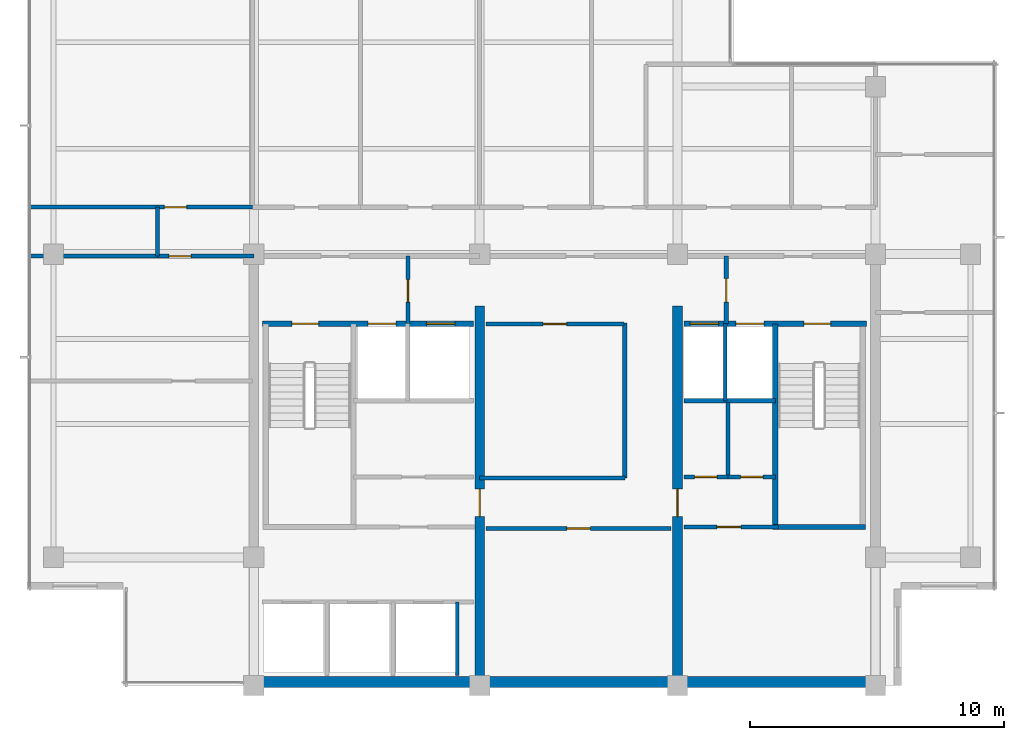
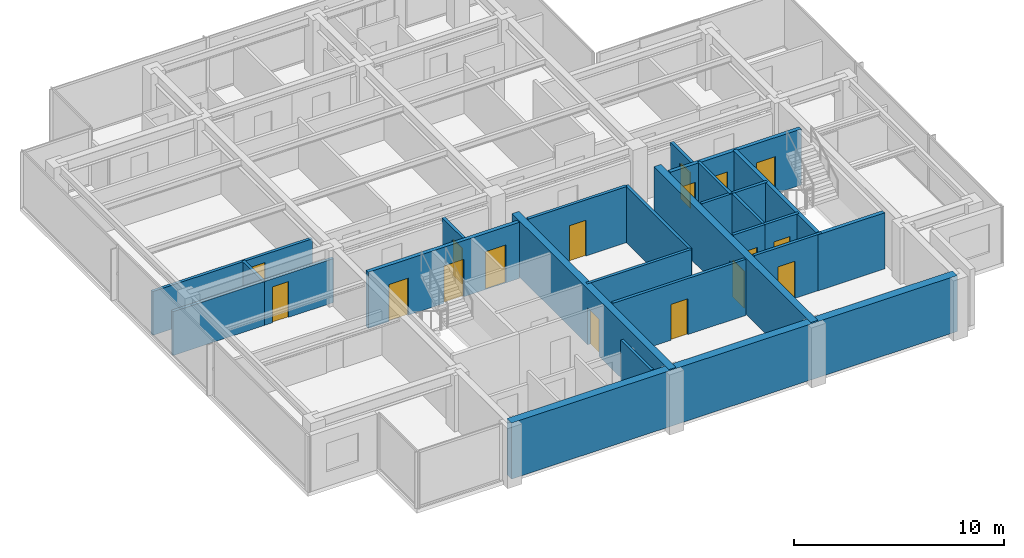
# One storey, part 6 of 11: 24 walls, 17 doors, 17 openings.
"""IFC4 building model written with IfcOpenShell, lengths in metres."""

import ifcopenshell
import ifcopenshell.guid

model = None  # the IFC model being written
_history = None  # IfcOwnerHistory: only IFC2X3 demands one
_inside = {}  # id of a spatial element -> (the spatial element, [elements in it])
_under = {}  # id of a project, library or spatial element -> (it, [spatial elements below it])
_declared = {}  # id of a project -> (the project, [libraries it declares])
_typed = {}  # id of a type object -> (the type object, [elements of that type])
_made_of = {}  # id of a material, layer set ... -> (it, [elements and type objects made of it])


def new_model(schema):
    """Start an empty IFC model of exactly this schema.

    Asked for "IFC4X3", IfcOpenShell would pick the latest addendum, in which some entities
    have other attributes; the version numbers below select the first issue.
    IFC2X3 requires an IfcOwnerHistory on every rooted entity: one is made here for all.
    """
    global model, _history
    if schema == "IFC4X3":
        model = ifcopenshell.file(schema_version=(4, 3, 0, 0))
    else:
        model = ifcopenshell.file(schema=schema)
    _inside.clear()
    _under.clear()
    _declared.clear()
    _typed.clear()
    _made_of.clear()
    _history = None
    if model.schema == "IFC2X3":
        org = make("IfcOrganization", Name="unknown")
        user = make(
            "IfcPersonAndOrganization",
            ThePerson=make("IfcPerson", FamilyName="unknown"),
            TheOrganization=org,
        )
        app = make(
            "IfcApplication",
            ApplicationDeveloper=org,
            Version="unknown",
            ApplicationFullName="unknown",
            ApplicationIdentifier="unknown",
        )
        _history = make(
            "IfcOwnerHistory",
            OwningUser=user,
            OwningApplication=app,
            ChangeAction="ADDED",
            CreationDate=0,
        )
    return model


def make(cls, **values):
    """One entity of the class cls with the attributes given. An attribute that is None is left unset."""
    return model.create_entity(
        cls, **{name: value for name, value in values.items() if value is not None}
    )


def rooted(cls, **values):
    """An entity with a GlobalId (a new one), such as an element, a storey or a relation."""
    return make(cls, GlobalId=ifcopenshell.guid.new(), OwnerHistory=_history, **values)


def si_unit(unit_type, name, prefix=None):
    """IfcSIUnit, for example si_unit("LENGTHUNIT", "METRE", prefix="MILLI")."""
    return make("IfcSIUnit", UnitType=unit_type, Prefix=prefix, Name=name)


def assignment(units):
    """IfcUnitAssignment: the units of a project."""
    return None if units is None else make("IfcUnitAssignment", Units=units)


def point(xyz):
    """IfcCartesianPoint."""
    return None if xyz is None else make("IfcCartesianPoint", Coordinates=xyz)


def direction(xyz):
    """IfcDirection."""
    return None if xyz is None else make("IfcDirection", DirectionRatios=xyz)


def frame(location, z_axis=None, x_axis=None):
    """IfcAxis2Placement3D, a coordinate frame: its origin and axes. An axis left out is left unset."""
    return make(
        "IfcAxis2Placement3D",
        Location=point(location),
        Axis=direction(z_axis),
        RefDirection=direction(x_axis),
    )


def frame_2d(location, x_axis=None):
    """IfcAxis2Placement2D, a coordinate frame in the plane: its origin and x axis."""
    return make(
        "IfcAxis2Placement2D", Location=point(location), RefDirection=direction(x_axis)
    )


def origin():
    """The frame at (0, 0, 0) with its axes left unset."""
    return frame((0.0, 0.0, 0.0))


def place(relative_to, where):
    """IfcLocalPlacement: puts the frame where relative to a parent placement (None: the world)."""
    return make(
        "IfcLocalPlacement", PlacementRelTo=relative_to, RelativePlacement=where
    )


def context(
    kind, dimensions, precision=None, world=None, true_north=None, identifier=None
):
    """IfcGeometricRepresentationContext, for example the 3D "Model" context."""
    return make(
        "IfcGeometricRepresentationContext",
        ContextIdentifier=identifier,
        ContextType=kind,
        CoordinateSpaceDimension=dimensions,
        Precision=precision,
        WorldCoordinateSystem=world,
        TrueNorth=true_north,
    )


def subcontext(parent, identifier, kind, view, scale=None):
    """IfcGeometricRepresentationSubContext, for example "Body" below "Model"."""
    return make(
        "IfcGeometricRepresentationSubContext",
        ContextIdentifier=identifier,
        ContextType=kind,
        ParentContext=parent,
        TargetScale=scale,
        TargetView=view,
    )


def project(units=None, contexts=None):
    """IfcProject with its units and contexts."""
    return rooted(
        "IfcProject",
        Name="project",
        RepresentationContexts=contexts,
        UnitsInContext=assignment(units),
    )


def spatial(cls, under=None, at=None, **own):
    """A site, building, storey or space (cls), placed at a placement, below another one or the project."""
    s = rooted(cls, ObjectPlacement=at, **own)
    if under is not None:
        _under.setdefault(under.id(), (under, []))[1].append(s)
    return s


def profile(cls, at=None, kind="AREA", **sizes):
    """A parametric profile (cls). Its sizes go by their IFC names, for example OverallWidth=200.0."""
    return make(cls, ProfileType=kind, Position=at, **sizes)


def rectangle(**sizes):
    """IfcRectangleProfileDef."""
    return profile("IfcRectangleProfileDef", **sizes)


def extrude(swept, where, along, depth):
    """IfcExtrudedAreaSolid: the profile swept, set in the frame where, extruded along a direction by depth."""
    return make(
        "IfcExtrudedAreaSolid",
        SweptArea=swept,
        Position=where,
        ExtrudedDirection=direction(along),
        Depth=depth,
    )


def shape(context_of_items, identifier, shape_type, items):
    """IfcShapeRepresentation: the items that make up one representation, for example the "Body"."""
    return make(
        "IfcShapeRepresentation",
        ContextOfItems=context_of_items,
        RepresentationIdentifier=identifier,
        RepresentationType=shape_type,
        Items=items,
    )


def material(Name=None, Category=None):
    """IfcMaterial."""
    return make("IfcMaterial", Name=Name, Category=Category)


def layer(
    of_material, thickness, ventilated=None, Name=None, Category=None, Priority=None
):
    """IfcMaterialLayer: one layer of a wall or slab, of a material (None: an air gap)."""
    return make(
        "IfcMaterialLayer",
        Material=of_material,
        LayerThickness=thickness,
        IsVentilated=ventilated,
        Name=Name,
        Category=Category,
        Priority=Priority,
    )


def layer_set(layers, Name=None):
    """IfcMaterialLayerSet."""
    return make("IfcMaterialLayerSet", MaterialLayers=layers, LayerSetName=Name)


def made_of(thing, what):
    """Note that an element or type object is made of a material, layer set ...; save() writes the relation."""
    if what is not None:
        _made_of.setdefault(what.id(), (what, []))[1].append(thing)
    return thing


def type_object(cls, material=None, **own):
    """A type object (cls), such as IfcWallType, which elements share."""
    return made_of(rooted(cls, **own), material)


def element(
    cls,
    number,
    at=None,
    inside=None,
    cuts=None,
    type_object=None,
    material=None,
    context=None,
    identifier="Body",
    shape_type=None,
    held_by="IfcProductDefinitionShape",
    body=None,
    shapes=None,
    **own,
):
    """One element of the class cls, such as IfcWall. Its Tag is "e" and its number.

    at: its placement. inside: the storey or other place that contains it. cuts: it is an
    opening in that element (IfcRelVoidsElement). A single representation is given by context,
    identifier, shape_type and body (its items); several are given by shapes. held_by: the class
    of the entity that holds the representations. save() writes the other relations.
    """
    e = rooted(cls, Tag="e%d" % number, ObjectPlacement=at, **own)
    if body is not None:
        shapes = [shape(context, identifier, shape_type, body)]
    if shapes is not None:
        e.Representation = make(held_by, Representations=shapes)
    if inside is not None:
        _inside.setdefault(inside.id(), (inside, []))[1].append(e)
    if cuts is not None:
        rooted(
            "IfcRelVoidsElement", RelatingBuildingElement=cuts, RelatedOpeningElement=e
        )
    if type_object is not None:
        _typed.setdefault(type_object.id(), (type_object, []))[1].append(e)
    return made_of(e, material)


def fill(opening, filler):
    """IfcRelFillsElement: the door or window that sits in an opening."""
    return rooted(
        "IfcRelFillsElement",
        RelatingOpeningElement=opening,
        RelatedBuildingElement=filler,
    )


def aggregate(whole, parts):
    """IfcRelAggregates: a whole, such as a stair, and the parts it consists of."""
    return rooted("IfcRelAggregates", RelatingObject=whole, RelatedObjects=parts)


def save(model, path):
    """Write the relations noted so far, then the file.

    IfcRelAggregates (storeys below a building ...), IfcRelContainedInSpatialStructure (elements
    in a storey), IfcRelDefinesByType, IfcRelAssociatesMaterial and IfcRelDeclares: one each for
    every whole, place, type object, material and project.
    """
    for whole, parts in _under.values():
        aggregate(whole, parts)
    for where, things in _inside.values():
        rooted(
            "IfcRelContainedInSpatialStructure",
            RelatedElements=things,
            RelatingStructure=where,
        )
    for kind, things in _typed.values():
        rooted("IfcRelDefinesByType", RelatedObjects=things, RelatingType=kind)
    for what, things in _made_of.values():
        rooted("IfcRelAssociatesMaterial", RelatedObjects=things, RelatingMaterial=what)
    for by, libraries in _declared.values():
        rooted("IfcRelDeclares", RelatingContext=by, RelatedDefinitions=libraries)
    model.write(path)


model = new_model("IFC4")

# Units and contexts
model_context = context("Model", 3, precision=1e-05, world=origin(), true_north=direction((0.0, 1.0)))
body_context = subcontext(model_context, "Body", "Model", "MODEL_VIEW")
ifc_project = project(units=[si_unit("LENGTHUNIT", "METRE"), si_unit("AREAUNIT", "SQUARE_METRE"), si_unit("VOLUMEUNIT", "CUBIC_METRE"), si_unit("PLANEANGLEUNIT", "RADIAN"), si_unit("MASSUNIT", "GRAM", prefix="KILO")], contexts=[model_context])

# Site, building, storey
site_placement = place(None, origin())
site = spatial("IfcSite", under=ifc_project, at=site_placement, CompositionType="ELEMENT")
building_placement = place(site_placement, origin())
building = spatial("IfcBuilding", under=site, at=building_placement, Name="Qalmaran Belvedere Hotel", CompositionType="ELEMENT")
storey_placement = place(building_placement, frame((0.0, 0.0, 259.89990234375)))
storey = spatial("IfcBuildingStorey", under=building, at=storey_placement, Name="L67", CompositionType="ELEMENT", Elevation=259.89990234375)

# Wall, opening, door
ifc_material_1 = material(Name="Concrete C50/60", Category="concrete")
ifc_layer_1 = layer(ifc_material_1, 0.3798828125, Name="Concrete C50/60")
ifc_layer_set_1 = layer_set([ifc_layer_1], Name="Concrete C50/60")
wall_type_1 = type_object("IfcWallType", Name="WL-CORE-380-C50", PredefinedType="SHEAR", material=ifc_layer_set_1)
wall_1_placement = place(storey_placement, frame((29.199951171875, 3.5, 0.0), z_axis=(0.0, 0.0, 1.0), x_axis=(0.0, 1.0, 0.0)))
wall_1 = element("IfcWall", 1, at=wall_1_placement, inside=storey, type_object=wall_type_1, Name="L67 Core West Spine Shear Wall", PredefinedType="SHEAR", context=body_context, shape_type="SweptSolid", body=[
    extrude(rectangle(XDim=14.949951171875, YDim=0.3798828125, at=frame_2d((7.47509765625, 0.0))), origin(), (0.0, 0.0, 1.0), 3.260009765625),
])
opening_1_placement = place(wall_1_placement, frame((7.75, 0.0, 0.0), z_axis=(0.0, 0.0, 1.0), x_axis=(-1.0, 0.0, 0.0)))
opening_1 = element("IfcOpeningElement", 2, at=opening_1_placement, cuts=wall_1, Name="Opening FD90", PredefinedType="OPENING", context=body_context, shape_type="SweptSolid", body=[
    extrude(rectangle(XDim=1.10009765625, YDim=2.14990234375, at=frame_2d((0.550048828125, 1.074951171875))), frame((0.0, 0.199951171875, 0.0), z_axis=(0.0, -1.0, 0.0), x_axis=(1.0, 0.0, 0.0)), (0.0, 0.0, 1.0), 0.39990234375),
])
ifc_material_2 = material(Name="Steel S355JR", Category="steel")
door_type_1 = type_object("IfcDoorType", Name="DR-FD90-1100X2150", OperationType="NOTDEFINED", PredefinedType="DOOR", material=ifc_material_2)
door_1_placement = place(opening_1_placement, origin())
door_1 = element("IfcDoor", 3, at=door_1_placement, inside=storey, type_object=door_type_1, Name="L67 Core West Cross-Lobby Door", OperationType="SINGLE_SWING_LEFT", OverallHeight=2.14990234375, OverallWidth=1.10009765625, PredefinedType="DOOR", context=body_context, shape_type="SweptSolid", body=[
    extrude(rectangle(XDim=1.10009765625, YDim=2.14990234375, at=frame_2d((0.550048828125, 1.074951171875))), frame((0.0, 0.02490234375, 0.0), z_axis=(0.0, -1.0, 0.0), x_axis=(1.0, 0.0, 0.0)), (0.0, 0.0, 1.0), 0.050048828125),
])
fill(opening_1, door_1)

wall_2_placement = place(storey_placement, frame((37.0, 3.5, 0.0), z_axis=(0.0, 0.0, 1.0), x_axis=(0.0, 1.0, 0.0)))
wall_2 = element("IfcWall", 4, at=wall_2_placement, inside=storey, type_object=wall_type_1, Name="L67 Core East Spine Shear Wall", PredefinedType="SHEAR", context=body_context, shape_type="SweptSolid", body=[
    extrude(rectangle(XDim=14.949951171875, YDim=0.3798828125, at=frame_2d((7.47509765625, 0.0))), origin(), (0.0, 0.0, 1.0), 3.260009765625),
])
opening_2_placement = place(wall_2_placement, frame((6.64990234375, 0.0, 0.0)))
opening_2 = element("IfcOpeningElement", 5, at=opening_2_placement, cuts=wall_2, Name="Opening FD90", PredefinedType="OPENING", context=body_context, shape_type="SweptSolid", body=[
    extrude(rectangle(XDim=1.10009765625, YDim=2.14990234375, at=frame_2d((0.550048828125, 1.074951171875))), frame((0.0, 0.199951171875, 0.0), z_axis=(0.0, -1.0, 0.0), x_axis=(1.0, 0.0, 0.0)), (0.0, 0.0, 1.0), 0.39990234375),
])
door_2_placement = place(opening_2_placement, origin())
door_2 = element("IfcDoor", 6, at=door_2_placement, inside=storey, type_object=door_type_1, Name="L67 Core East Cross-Lobby Door", OperationType="SINGLE_SWING_RIGHT", OverallHeight=2.14990234375, OverallWidth=1.10009765625, PredefinedType="DOOR", context=body_context, shape_type="SweptSolid", body=[
    extrude(rectangle(XDim=1.10009765625, YDim=2.14990234375, at=frame_2d((0.550048828125, 1.074951171875))), frame((0.0, 0.02490234375, 0.0), z_axis=(0.0, -1.0, 0.0), x_axis=(1.0, 0.0, 0.0)), (0.0, 0.0, 1.0), 0.050048828125),
])
fill(opening_2, door_2)

# Walls
ifc_layer_2 = layer(ifc_material_1, 0.43994140625, Name="Concrete C50/60")
ifc_layer_set_2 = layer_set([ifc_layer_2], Name="Concrete C50/60")
wall_type_2 = type_object("IfcWallType", Name="WL-CORES-440-EXT", PredefinedType="SHEAR", material=ifc_layer_set_2)
wall_3_placement = place(storey_placement, frame((20.300048828125, 3.6298828125, 0.0), z_axis=(0.0, 0.0, 1.0), x_axis=(1.0, 0.0, 0.0)))
element("IfcWall", 7, at=wall_3_placement, inside=storey, type_object=wall_type_2, Name="L67 South Core Shear Wall", PredefinedType="SHEAR", context=body_context, shape_type="SweptSolid", body=[
    extrude(rectangle(XDim=24.5, YDim=0.43994140625, at=frame_2d((12.25, 0.0))), origin(), (0.0, 0.0, 1.0), 3.260009765625),
])
ifc_material_3 = material(Name="Gypsum Stud Partition")
ifc_layer_3 = layer(ifc_material_3, 0.14990234375, Name="Gypsum Stud Partition")
ifc_layer_set_3 = layer_set([ifc_layer_3], Name="Gypsum Stud Partition")
wall_type_3 = type_object("IfcWallType", Name="WL-INT-150-EI120", PredefinedType="PARTITIONING", material=ifc_layer_set_3)
wall_4_placement = place(storey_placement, frame((38.8798828125, 14.719970703125, 0.0), z_axis=(0.0, 0.0, 1.0), x_axis=(0.0, 1.0, 0.0)))
element("IfcWall", 8, at=wall_4_placement, inside=storey, type_object=wall_type_3, Name="L67 Partition WL-FF2M-L67", PredefinedType="PARTITIONING", context=body_context, shape_type="SweptSolid", body=[
    extrude(rectangle(XDim=3.0400390625, YDim=0.14990234375, at=frame_2d((1.52001953125, 0.0))), origin(), (0.0, 0.0, 1.0), 3.260009765625),
])
wall_5_placement = place(storey_placement, frame((28.320068359375, 3.89990234375, 0.0), z_axis=(0.0, 0.0, 1.0), x_axis=(0.0, 1.0, 0.0)))
element("IfcWall", 9, at=wall_5_placement, inside=storey, type_object=wall_type_3, Name="L67 Partition WL-POM3-L67", PredefinedType="PARTITIONING", context=body_context, shape_type="SweptSolid", body=[
    extrude(rectangle(XDim=2.880126953125, YDim=0.14990234375, at=frame_2d((1.43994140625, 0.0))), origin(), (0.0, 0.0, 1.0), 3.260009765625),
])
ifc_layer_4 = layer(ifc_material_3, 0.14990234375, Name="Gypsum Stud Partition")
ifc_layer_set_4 = layer_set([ifc_layer_4], Name="Gypsum Stud Partition")
wall_type_4 = type_object("IfcWallType", Name="WL-INT-150-EI60", PredefinedType="PARTITIONING", material=ifc_layer_set_4)
wall_6_placement = place(storey_placement, frame((38.98291015625, 11.719970703125, 0.0), z_axis=(0.0, 0.0, 1.0), x_axis=(0.0, 1.0, 0.0)))
element("IfcWall", 10, at=wall_6_placement, inside=storey, type_object=wall_type_4, Name="L67 Partition WL-L67-KEV1", PredefinedType="PARTITIONING", context=body_context, shape_type="SweptSolid", body=[
    extrude(rectangle(XDim=2.929931640625, YDim=0.14990234375, at=frame_2d((1.46484375, 0.0))), origin(), (0.0, 0.0, 1.0), 3.260009765625),
])

# Wall, opening, door
ifc_layer_5 = layer(ifc_material_3, 0.159912109375, Name="Gypsum Stud Partition")
ifc_layer_set_5 = layer_set([ifc_layer_5], Name="Gypsum Stud Partition")
wall_type_5 = type_object("IfcWallType", Name="WL-INT-160-EI120", PredefinedType="PARTITIONING", material=ifc_layer_set_5)
wall_7_placement = place(storey_placement, frame((26.3798828125, 17.760009765625, 0.0), z_axis=(0.0, 0.0, 1.0), x_axis=(0.0, 1.0, 0.0)))
wall_7 = element("IfcWall", 11, at=wall_7_placement, inside=storey, type_object=wall_type_5, Name="L67 Partition WL-FFSV1-L67", PredefinedType="PARTITIONING", context=body_context, shape_type="SweptSolid", body=[
    extrude(rectangle(XDim=2.659912109375, YDim=0.159912109375, at=frame_2d((1.330078125, 0.0))), origin(), (0.0, 0.0, 1.0), 2.781982421875),
])
opening_3_placement = place(wall_7_placement, frame((0.85009765625, 0.0, 0.0)))
opening_3 = element("IfcOpeningElement", 12, at=opening_3_placement, cuts=wall_7, Name="Opening FD60B", PredefinedType="OPENING", context=body_context, shape_type="SweptSolid", body=[
    extrude(rectangle(XDim=0.8798828125, YDim=2.080078125, at=frame_2d((0.43994140625, 1.0400390625))), frame((0.0, 0.08984375, 0.0), z_axis=(0.0, -1.0, 0.0), x_axis=(1.0, 0.0, 0.0)), (0.0, 0.0, 1.0), 0.179931640625),
])
door_type_2 = type_object("IfcDoorType", Name="DR-FD60B-880X2080", OperationType="NOTDEFINED", PredefinedType="DOOR", material=ifc_material_2)
door_3_placement = place(opening_3_placement, origin())
door_3 = element("IfcDoor", 13, at=door_3_placement, inside=storey, type_object=door_type_2, Name="L67 Service Lobby West Door", OperationType="SINGLE_SWING_LEFT", OverallHeight=2.080078125, OverallWidth=0.8798828125, PredefinedType="DOOR", context=body_context, shape_type="SweptSolid", body=[
    extrude(rectangle(XDim=0.8798828125, YDim=2.080078125, at=frame_2d((0.43994140625, 1.0400390625))), frame((0.0, 0.02490234375, 0.0), z_axis=(0.0, -1.0, 0.0), x_axis=(1.0, 0.0, 0.0)), (0.0, 0.0, 1.0), 0.050048828125),
])
fill(opening_3, door_3)

wall_8_placement = place(storey_placement, frame((38.919921875, 17.760009765625, 0.0), z_axis=(0.0, 0.0, 1.0), x_axis=(0.0, 1.0, 0.0)))
wall_8 = element("IfcWall", 14, at=wall_8_placement, inside=storey, type_object=wall_type_5, Name="L67 Partition WL-FFSV2-L67", PredefinedType="PARTITIONING", context=body_context, shape_type="SweptSolid", body=[
    extrude(rectangle(XDim=2.659912109375, YDim=0.159912109375, at=frame_2d((1.330078125, 0.0))), origin(), (0.0, 0.0, 1.0), 2.781982421875),
])
opening_4_placement = place(wall_8_placement, frame((1.77001953125, 0.0, 0.0), z_axis=(0.0, 0.0, 1.0), x_axis=(-1.0, 0.0, 0.0)))
opening_4 = element("IfcOpeningElement", 15, at=opening_4_placement, cuts=wall_8, Name="Opening FD60S1", PredefinedType="OPENING", context=body_context, shape_type="SweptSolid", body=[
    extrude(rectangle(XDim=0.919921875, YDim=2.080078125, at=frame_2d((0.4599609375, 1.0400390625))), frame((0.0, 0.08984375, 0.0), z_axis=(0.0, -1.0, 0.0), x_axis=(1.0, 0.0, 0.0)), (0.0, 0.0, 1.0), 0.179931640625),
])
ifc_material_4 = material(Name="Engineered Oak Veneer")
door_type_3 = type_object("IfcDoorType", Name="DR-FD60S-920X2080", OperationType="NOTDEFINED", PredefinedType="DOOR", material=ifc_material_4)
door_4_placement = place(opening_4_placement, origin())
door_4 = element("IfcDoor", 16, at=door_4_placement, inside=storey, type_object=door_type_3, Name="L67 Service Lobby East Door", OperationType="SINGLE_SWING_RIGHT", OverallHeight=2.080078125, OverallWidth=0.919921875, PredefinedType="DOOR", context=body_context, shape_type="SweptSolid", body=[
    extrude(rectangle(XDim=0.919921875, YDim=2.080078125, at=frame_2d((0.4599609375, 1.0400390625))), frame((0.0, 0.02490234375, 0.0), z_axis=(0.0, -1.0, 0.0), x_axis=(1.0, 0.0, 0.0)), (0.0, 0.0, 1.0), 0.050048828125),
])
fill(opening_4, door_4)

# Wall
wall_9_placement = place(storey_placement, frame((37.25, 14.719970703125, 0.0), z_axis=(0.0, 0.0, 1.0), x_axis=(1.0, 0.0, 0.0)))
element("IfcWall", 17, at=wall_9_placement, inside=storey, type_object=wall_type_5, Name="L67 Partition WL-FF2S-L67", PredefinedType="PARTITIONING", context=body_context, shape_type="SweptSolid", body=[
    extrude(rectangle(XDim=3.610107421875, YDim=0.159912109375, at=frame_2d((1.80517578125, 0.0))), origin(), (0.0, 0.0, 1.0), 3.260009765625),
])

# Wall, opening, door
ifc_layer_6 = layer(ifc_material_3, 0.159912109375, Name="Gypsum Stud Partition")
ifc_layer_set_6 = layer_set([ifc_layer_6], Name="Gypsum Stud Partition")
wall_type_6 = type_object("IfcWallType", Name="WL-INT-160-EI60", PredefinedType="PARTITIONING", material=ifc_layer_set_6)
wall_10_placement = place(storey_placement, frame((37.25, 11.719970703125, 0.0), z_axis=(0.0, 0.0, 1.0), x_axis=(1.0, 0.0, 0.0)))
wall_10 = element("IfcWall", 18, at=wall_10_placement, inside=storey, type_object=wall_type_6, Name="L67 Partition WL-L67-KEE1", PredefinedType="PARTITIONING", context=body_context, shape_type="SweptSolid", body=[
    extrude(rectangle(XDim=1.73291015625, YDim=0.159912109375, at=frame_2d((0.866455078125, 0.0))), origin(), (0.0, 0.0, 1.0), 3.260009765625),
])
opening_5_placement = place(wall_10_placement, frame((0.426513671875, 0.0, 0.0)))
opening_5 = element("IfcOpeningElement", 19, at=opening_5_placement, cuts=wall_10, Name="Opening FD60B", PredefinedType="OPENING", context=body_context, shape_type="SweptSolid", body=[
    extrude(rectangle(XDim=0.8798828125, YDim=2.080078125, at=frame_2d((0.43994140625, 1.0400390625))), frame((0.0, 0.08984375, 0.0), z_axis=(0.0, -1.0, 0.0), x_axis=(1.0, 0.0, 0.0)), (0.0, 0.0, 1.0), 0.179931640625),
])
door_5_placement = place(opening_5_placement, origin())
door_5 = element("IfcDoor", 20, at=door_5_placement, inside=storey, type_object=door_type_2, Name="L67 Cleaner Equipment Store Door", OperationType="SINGLE_SWING_LEFT", OverallHeight=2.080078125, OverallWidth=0.8798828125, PredefinedType="DOOR", context=body_context, shape_type="SweptSolid", body=[
    extrude(rectangle(XDim=0.8798828125, YDim=2.080078125, at=frame_2d((0.43994140625, 1.0400390625))), frame((0.0, 0.02490234375, 0.0), z_axis=(0.0, -1.0, 0.0), x_axis=(1.0, 0.0, 0.0)), (0.0, 0.0, 1.0), 0.050048828125),
])
fill(opening_5, door_5)

wall_11_placement = place(storey_placement, frame((38.98291015625, 11.719970703125, 0.0), z_axis=(0.0, 0.0, 1.0), x_axis=(1.0, 0.0, 0.0)))
wall_11 = element("IfcWall", 21, at=wall_11_placement, inside=storey, type_object=wall_type_6, Name="L67 Partition WL-L67-KEE2", PredefinedType="PARTITIONING", context=body_context, shape_type="SweptSolid", body=[
    extrude(rectangle(XDim=1.877197265625, YDim=0.159912109375, at=frame_2d((0.9384765625, 0.0))), origin(), (0.0, 0.0, 1.0), 3.260009765625),
])
opening_6_placement = place(wall_11_placement, frame((0.49853515625, 0.0, 0.0)))
opening_6 = element("IfcOpeningElement", 22, at=opening_6_placement, cuts=wall_11, Name="Opening FD60B", PredefinedType="OPENING", context=body_context, shape_type="SweptSolid", body=[
    extrude(rectangle(XDim=0.8798828125, YDim=2.080078125, at=frame_2d((0.43994140625, 1.0400390625))), frame((0.0, 0.08984375, 0.0), z_axis=(0.0, -1.0, 0.0), x_axis=(1.0, 0.0, 0.0)), (0.0, 0.0, 1.0), 0.179931640625),
])
door_6_placement = place(opening_6_placement, origin())
door_6 = element("IfcDoor", 23, at=door_6_placement, inside=storey, type_object=door_type_2, Name="L67 Low Voltage Switch Room Door", OperationType="SINGLE_SWING_RIGHT", OverallHeight=2.080078125, OverallWidth=0.8798828125, PredefinedType="DOOR", context=body_context, shape_type="SweptSolid", body=[
    extrude(rectangle(XDim=0.8798828125, YDim=2.080078125, at=frame_2d((0.43994140625, 1.0400390625))), frame((0.0, 0.02490234375, 0.0), z_axis=(0.0, -1.0, 0.0), x_axis=(1.0, 0.0, 0.0)), (0.0, 0.0, 1.0), 0.050048828125),
])
fill(opening_6, door_6)

wall_12_placement = place(storey_placement, frame((37.25, 9.739990234375, 0.0), z_axis=(0.0, 0.0, 1.0), x_axis=(1.0, 0.0, 0.0)))
wall_12 = element("IfcWall", 24, at=wall_12_placement, inside=storey, type_object=wall_type_6, Name="L67 Partition WL-PHFR-L67", PredefinedType="PARTITIONING", context=body_context, shape_type="SweptSolid", body=[
    extrude(rectangle(XDim=3.72998046875, YDim=0.159912109375, at=frame_2d((1.864990234375, 0.0))), origin(), (0.0, 0.0, 1.0), 3.260009765625),
])
opening_7_placement = place(wall_12_placement, frame((2.25, 0.0, 0.0), z_axis=(0.0, 0.0, 1.0), x_axis=(-1.0, 0.0, 0.0)))
opening_7 = element("IfcOpeningElement", 25, at=opening_7_placement, cuts=wall_12, Name="Opening FD60", PredefinedType="OPENING", context=body_context, shape_type="SweptSolid", body=[
    extrude(rectangle(XDim=0.949951171875, YDim=2.14990234375, at=frame_2d((0.47509765625, 1.074951171875))), frame((0.0, 0.08984375, 0.0), z_axis=(0.0, -1.0, 0.0), x_axis=(1.0, 0.0, 0.0)), (0.0, 0.0, 1.0), 0.179931640625),
])
door_type_4 = type_object("IfcDoorType", Name="DR-FD60-950X2150", OperationType="NOTDEFINED", PredefinedType="DOOR", material=ifc_material_4)
door_7_placement = place(opening_7_placement, origin())
door_7 = element("IfcDoor", 26, at=door_7_placement, inside=storey, type_object=door_type_4, Name="L67 Freed PH Room Door", OperationType="SINGLE_SWING_RIGHT", OverallHeight=2.14990234375, OverallWidth=0.949951171875, PredefinedType="DOOR", context=body_context, shape_type="SweptSolid", body=[
    extrude(rectangle(XDim=0.949951171875, YDim=2.14990234375, at=frame_2d((0.47509765625, 1.074951171875))), frame((0.0, 0.02490234375, 0.0), z_axis=(0.0, -1.0, 0.0), x_axis=(1.0, 0.0, 0.0)), (0.0, 0.0, 1.0), 0.050048828125),
])
fill(opening_7, door_7)

# Wall
wall_13_placement = place(storey_placement, frame((34.919921875, 11.679931640625, 0.0), z_axis=(0.0, 0.0, 1.0), x_axis=(0.0, 1.0, 0.0)))
element("IfcWall", 27, at=wall_13_placement, inside=storey, type_object=wall_type_6, Name="L67 Partition WL-CLLV-L67", PredefinedType="PARTITIONING", context=body_context, shape_type="SweptSolid", body=[
    extrude(rectangle(XDim=6.10009765625, YDim=0.159912109375, at=frame_2d((3.050048828125, 0.0))), origin(), (0.0, 0.0, 1.0), 3.260009765625),
])

# Wall, opening, door
wall_14_placement = place(storey_placement, frame((29.449951171875, 9.679931640625, 0.0), z_axis=(0.0, 0.0, 1.0), x_axis=(1.0, 0.0, 0.0)))
wall_14 = element("IfcWall", 28, at=wall_14_placement, inside=storey, type_object=wall_type_6, Name="L67 Partition WL-L67-KPLE1", PredefinedType="PARTITIONING", context=body_context, shape_type="SweptSolid", body=[
    extrude(rectangle(XDim=7.300048828125, YDim=0.159912109375, at=frame_2d((3.64990234375, 0.0))), origin(), (0.0, 0.0, 1.0), 3.260009765625),
])
opening_8_placement = place(wall_14_placement, frame((4.10986328125, 0.0, 0.0), z_axis=(0.0, 0.0, 1.0), x_axis=(-1.0, 0.0, 0.0)))
opening_8 = element("IfcOpeningElement", 29, at=opening_8_placement, cuts=wall_14, Name="Opening FD60S1", PredefinedType="OPENING", context=body_context, shape_type="SweptSolid", body=[
    extrude(rectangle(XDim=0.919921875, YDim=2.080078125, at=frame_2d((0.4599609375, 1.0400390625))), frame((0.0, 0.08984375, 0.0), z_axis=(0.0, -1.0, 0.0), x_axis=(1.0, 0.0, 0.0)), (0.0, 0.0, 1.0), 0.179931640625),
])
door_8_placement = place(opening_8_placement, origin())
door_8 = element("IfcDoor", 30, at=door_8_placement, inside=storey, type_object=door_type_3, Name="L67 Housekeeping and Linen Room Door", OperationType="SINGLE_SWING_LEFT", OverallHeight=2.080078125, OverallWidth=0.919921875, PredefinedType="DOOR", context=body_context, shape_type="SweptSolid", body=[
    extrude(rectangle(XDim=0.919921875, YDim=2.080078125, at=frame_2d((0.4599609375, 1.0400390625))), frame((0.0, 0.02490234375, 0.0), z_axis=(0.0, -1.0, 0.0), x_axis=(1.0, 0.0, 0.0)), (0.0, 0.0, 1.0), 0.050048828125),
])
fill(opening_8, door_8)

# Wall
wall_15_placement = place(storey_placement, frame((29.199951171875, 11.679931640625, 0.0), z_axis=(0.0, 0.0, 1.0), x_axis=(1.0, 0.0, 0.0)))
element("IfcWall", 31, at=wall_15_placement, inside=storey, type_object=wall_type_6, Name="L67 Partition WL-PMFS-L67", PredefinedType="PARTITIONING", context=body_context, shape_type="SweptSolid", body=[
    extrude(rectangle(XDim=5.719970703125, YDim=0.159912109375, at=frame_2d((2.85986328125, 0.0))), origin(), (0.0, 0.0, 1.0), 3.260009765625),
])

# Wall, opening, door
wall_16_placement = place(storey_placement, frame((29.449951171875, 17.75, 0.0), z_axis=(0.0, 0.0, 1.0), x_axis=(1.0, 0.0, 0.0)))
wall_16 = element("IfcWall", 32, at=wall_16_placement, inside=storey, type_object=wall_type_6, Name="L67 Partition WL-L67-KPME1", PredefinedType="PARTITIONING", context=body_context, shape_type="SweptSolid", body=[
    extrude(rectangle(XDim=5.429931640625, YDim=0.159912109375, at=frame_2d((2.71484375, 0.0))), origin(), (0.0, 0.0, 1.0), 3.260009765625),
])
opening_9_placement = place(wall_16_placement, frame((3.1748046875, 0.0, 0.0), z_axis=(0.0, 0.0, 1.0), x_axis=(-1.0, 0.0, 0.0)))
opening_9 = element("IfcOpeningElement", 33, at=opening_9_placement, cuts=wall_16, Name="Opening FD60S1", PredefinedType="OPENING", context=body_context, shape_type="SweptSolid", body=[
    extrude(rectangle(XDim=0.919921875, YDim=2.080078125, at=frame_2d((0.4599609375, 1.0400390625))), frame((0.0, 0.08984375, 0.0), z_axis=(0.0, -1.0, 0.0), x_axis=(1.0, 0.0, 0.0)), (0.0, 0.0, 1.0), 0.179931640625),
])
door_9_placement = place(opening_9_placement, origin())
door_9 = element("IfcDoor", 34, at=door_9_placement, inside=storey, type_object=door_type_3, Name="L67 Executive Butler Pantry Door", OperationType="SINGLE_SWING_RIGHT", OverallHeight=2.080078125, OverallWidth=0.919921875, PredefinedType="DOOR", context=body_context, shape_type="SweptSolid", body=[
    extrude(rectangle(XDim=0.919921875, YDim=2.080078125, at=frame_2d((0.4599609375, 1.0400390625))), frame((0.0, 0.02490234375, 0.0), z_axis=(0.0, -1.0, 0.0), x_axis=(1.0, 0.0, 0.0)), (0.0, 0.0, 1.0), 0.050048828125),
])
fill(opening_9, door_9)

# Wall
wall_17_placement = place(storey_placement, frame((11.469970703125, 20.419921875, 0.0), z_axis=(0.0, 0.0, 1.0), x_axis=(1.0, 0.0, 0.0)))
element("IfcWall", 35, at=wall_17_placement, inside=storey, type_object=wall_type_6, Name="L67 Partition WL-L67-C4WS1", PredefinedType="PARTITIONING", context=body_context, shape_type="SweptSolid", body=[
    extrude(rectangle(XDim=5.030029296875, YDim=0.159912109375, at=frame_2d((2.51513671875, 0.0))), origin(), (0.0, 0.0, 1.0), 2.550048828125),
])

# Wall, opening, door
wall_18_placement = place(storey_placement, frame((16.5, 20.419921875, 0.0), z_axis=(0.0, 0.0, 1.0), x_axis=(1.0, 0.0, 0.0)))
wall_18 = element("IfcWall", 36, at=wall_18_placement, inside=storey, type_object=wall_type_6, Name="L67 Partition WL-L67-C4WS2", PredefinedType="PARTITIONING", context=body_context, shape_type="SweptSolid", body=[
    extrude(rectangle(XDim=3.800048828125, YDim=0.159912109375, at=frame_2d((1.89990234375, 0.0))), origin(), (0.0, 0.0, 1.0), 2.550048828125),
])
opening_10_placement = place(wall_18_placement, frame((1.329833984375, 0.0, 0.0), z_axis=(0.0, 0.0, 1.0), x_axis=(-1.0, 0.0, 0.0)))
opening_10 = element("IfcOpeningElement", 37, at=opening_10_placement, cuts=wall_18, Name="Opening FD60B", PredefinedType="OPENING", context=body_context, shape_type="SweptSolid", body=[
    extrude(rectangle(XDim=0.8798828125, YDim=2.080078125, at=frame_2d((0.43994140625, 1.0400390625))), frame((0.0, 0.08984375, 0.0), z_axis=(0.0, -1.0, 0.0), x_axis=(1.0, 0.0, 0.0)), (0.0, 0.0, 1.0), 0.179931640625),
])
door_10_placement = place(opening_10_placement, origin())
door_10 = element("IfcDoor", 38, at=door_10_placement, inside=storey, type_object=door_type_2, Name="L67 West Salon Door", OperationType="SINGLE_SWING_RIGHT", OverallHeight=2.080078125, OverallWidth=0.8798828125, PredefinedType="DOOR", context=body_context, shape_type="SweptSolid", body=[
    extrude(rectangle(XDim=0.8798828125, YDim=2.080078125, at=frame_2d((0.43994140625, 1.0400390625))), frame((0.0, 0.02490234375, 0.0), z_axis=(0.0, -1.0, 0.0), x_axis=(1.0, 0.0, 0.0)), (0.0, 0.0, 1.0), 0.050048828125),
])
fill(opening_10, door_10)

# Wall
wall_19_placement = place(storey_placement, frame((16.5, 20.419921875, 0.0), z_axis=(0.0, 0.0, 1.0), x_axis=(0.0, 1.0, 0.0)))
element("IfcWall", 39, at=wall_19_placement, inside=storey, type_object=wall_type_6, Name="L67 Partition WL-L67-C4WW", PredefinedType="PARTITIONING", context=body_context, shape_type="SweptSolid", body=[
    extrude(rectangle(XDim=1.93017578125, YDim=0.159912109375, at=frame_2d((0.965087890625, 0.0))), origin(), (0.0, 0.0, 1.0), 2.550048828125),
])

# Wall, opening, door
wall_20_placement = place(storey_placement, frame((11.469970703125, 22.35009765625, 0.0), z_axis=(0.0, 0.0, 1.0), x_axis=(1.0, 0.0, 0.0)))
wall_20 = element("IfcWall", 40, at=wall_20_placement, inside=storey, type_object=wall_type_6, Name="L67 Partition WL-L67-C4WN0", PredefinedType="PARTITIONING", context=body_context, shape_type="SweptSolid", body=[
    extrude(rectangle(XDim=8.780029296875, YDim=0.159912109375, at=frame_2d((4.39013671875, 0.0))), origin(), (0.0, 0.0, 1.0), 2.550048828125),
])
opening_11_placement = place(wall_20_placement, frame((5.300048828125, 0.0, 0.0)))
opening_11 = element("IfcOpeningElement", 41, at=opening_11_placement, cuts=wall_20, Name="Opening FD60B", PredefinedType="OPENING", context=body_context, shape_type="SweptSolid", body=[
    extrude(rectangle(XDim=0.8798828125, YDim=2.080078125, at=frame_2d((0.43994140625, 1.0400390625))), frame((0.0, 0.08984375, 0.0), z_axis=(0.0, -1.0, 0.0), x_axis=(1.0, 0.0, 0.0)), (0.0, 0.0, 1.0), 0.179931640625),
])
door_11_placement = place(opening_11_placement, origin())
door_11 = element("IfcDoor", 42, at=door_11_placement, inside=storey, type_object=door_type_2, Name="L67 NW Salon Door", OperationType="SINGLE_SWING_LEFT", OverallHeight=2.080078125, OverallWidth=0.8798828125, PredefinedType="DOOR", context=body_context, shape_type="SweptSolid", body=[
    extrude(rectangle(XDim=0.8798828125, YDim=2.080078125, at=frame_2d((0.43994140625, 1.0400390625))), frame((0.0, 0.02490234375, 0.0), z_axis=(0.0, -1.0, 0.0), x_axis=(1.0, 0.0, 0.0)), (0.0, 0.0, 1.0), 0.050048828125),
])
fill(opening_11, door_11)

# Wall, openings, doors
ifc_layer_7 = layer(ifc_material_1, 0.2099609375, Name="Concrete C50/60")
ifc_layer_set_7 = layer_set([ifc_layer_7], Name="Concrete C50/60")
wall_type_7 = type_object("IfcWallType", Name="WL-STAIR-210-C50", PredefinedType="SHEAR", material=ifc_layer_set_7)
wall_21_placement = place(storey_placement, frame((20.64990234375, 17.7548828125, 0.0), z_axis=(0.0, 0.0, 1.0), x_axis=(1.0, 0.0, 0.0)))
wall_21 = element("IfcWall", 43, at=wall_21_placement, inside=storey, type_object=wall_type_7, Name="L67 West Lobby and Stair ST-1 North Bearing Wall", PredefinedType="SHEAR", context=body_context, shape_type="SweptSolid", body=[
    extrude(rectangle(XDim=8.300048828125, YDim=0.2099609375, at=frame_2d((4.14990234375, 0.0))), origin(), (0.0, 0.0, 1.0), 3.260009765625),
])
opening_12_placement = place(wall_21_placement, frame((2.199951171875, 0.0, 0.0), z_axis=(0.0, 0.0, 1.0), x_axis=(-1.0, 0.0, 0.0)))
opening_12 = element("IfcOpeningElement", 44, at=opening_12_placement, cuts=wall_21, Name="Opening FD90S2", PredefinedType="OPENING", context=body_context, shape_type="SweptSolid", body=[
    extrude(rectangle(XDim=1.050048828125, YDim=2.14990234375, at=frame_2d((0.52490234375, 1.074951171875))), frame((0.0, 0.114990234375, 0.0), z_axis=(0.0, -1.0, 0.0), x_axis=(1.0, 0.0, 0.0)), (0.0, 0.0, 1.0), 0.22998046875),
])
opening_13_placement = place(wall_21_placement, frame((4.14990234375, 0.0, 0.0)))
opening_13 = element("IfcOpeningElement", 45, at=opening_13_placement, cuts=wall_21, Name="Opening LD-FF", PredefinedType="OPENING", context=body_context, shape_type="SweptSolid", body=[
    extrude(rectangle(XDim=1.10009765625, YDim=2.179931640625, at=frame_2d((0.550048828125, 1.08984375))), frame((0.0, 0.114990234375, 0.0), z_axis=(0.0, -1.0, 0.0), x_axis=(1.0, 0.0, 0.0)), (0.0, 0.0, 1.0), 0.22998046875),
])
opening_14_placement = place(wall_21_placement, frame((6.449951171875, 0.0, 0.0)))
opening_14 = element("IfcOpeningElement", 46, at=opening_14_placement, cuts=wall_21, Name="Opening LD-SV", PredefinedType="OPENING", context=body_context, shape_type="SweptSolid", body=[
    extrude(rectangle(XDim=1.1201171875, YDim=2.199951171875, at=frame_2d((0.56005859375, 1.10009765625))), frame((0.0, 0.114990234375, 0.0), z_axis=(0.0, -1.0, 0.0), x_axis=(1.0, 0.0, 0.0)), (0.0, 0.0, 1.0), 0.22998046875),
])
door_type_5 = type_object("IfcDoorType", Name="DR-FD90S-1050X2150", OperationType="NOTDEFINED", PredefinedType="DOOR", material=ifc_material_2)
door_12_placement = place(opening_12_placement, origin())
door_12 = element("IfcDoor", 47, at=door_12_placement, inside=storey, type_object=door_type_5, Name="L67 Stair ST-1 Door", OperationType="SINGLE_SWING_LEFT", OverallHeight=2.14990234375, OverallWidth=1.050048828125, PredefinedType="DOOR", context=body_context, shape_type="SweptSolid", body=[
    extrude(rectangle(XDim=1.050048828125, YDim=2.14990234375, at=frame_2d((0.52490234375, 1.074951171875))), frame((0.0, 0.02490234375, 0.0), z_axis=(0.0, -1.0, 0.0), x_axis=(1.0, 0.0, 0.0)), (0.0, 0.0, 1.0), 0.050048828125),
])
fill(opening_12, door_12)
ifc_material_5 = material(Name="Stainless Steel 1.4401", Category="steel")
door_type_6 = type_object("IfcDoorType", Name="DR-LIFT-FF-1100X2180", OperationType="DOUBLE_DOOR_SLIDING", PredefinedType="DOOR", material=ifc_material_5)
door_13_placement = place(opening_13_placement, origin())
door_13 = element("IfcDoor", 48, at=door_13_placement, inside=storey, type_object=door_type_6, Name="L67 FF1 Lift Landing Door", OperationType="DOUBLE_DOOR_SLIDING", OverallHeight=2.179931640625, OverallWidth=1.10009765625, PredefinedType="DOOR", context=body_context, shape_type="SweptSolid", body=[
    extrude(rectangle(XDim=1.10009765625, YDim=2.179931640625, at=frame_2d((0.550048828125, 1.08984375))), frame((0.0, 0.02490234375, 0.0), z_axis=(0.0, -1.0, 0.0), x_axis=(1.0, 0.0, 0.0)), (0.0, 0.0, 1.0), 0.050048828125),
])
fill(opening_13, door_13)
door_type_7 = type_object("IfcDoorType", Name="DR-LIFT-SV-1120X2200", OperationType="DOUBLE_DOOR_SLIDING", PredefinedType="DOOR", material=ifc_material_5)
door_14_placement = place(opening_14_placement, origin())
door_14 = element("IfcDoor", 49, at=door_14_placement, inside=storey, type_object=door_type_7, Name="L67 SV1 Lift Landing Door", OperationType="DOUBLE_DOOR_SLIDING", OverallHeight=2.199951171875, OverallWidth=1.1201171875, PredefinedType="DOOR", context=body_context, shape_type="SweptSolid", body=[
    extrude(rectangle(XDim=1.1201171875, YDim=2.199951171875, at=frame_2d((0.56005859375, 1.10009765625))), frame((0.0, 0.02490234375, 0.0), z_axis=(0.0, -1.0, 0.0), x_axis=(1.0, 0.0, 0.0)), (0.0, 0.0, 1.0), 0.050048828125),
])
fill(opening_14, door_14)

# Walls
wall_22_placement = place(storey_placement, frame((40.85498046875, 9.7451171875, 0.0), z_axis=(0.0, 0.0, 1.0), x_axis=(0.0, 1.0, 0.0)))
element("IfcWall", 50, at=wall_22_placement, inside=storey, type_object=wall_type_7, Name="L67 Stair ST-2 West Bearing Wall", PredefinedType="SHEAR", context=body_context, shape_type="SweptSolid", body=[
    extrude(rectangle(XDim=8.009765625, YDim=0.2099609375, at=frame_2d((4.0048828125, 0.0))), origin(), (0.0, 0.0, 1.0), 3.260009765625),
])
wall_23_placement = place(storey_placement, frame((40.75, 9.7451171875, 0.0), z_axis=(0.0, 0.0, 1.0), x_axis=(1.0, 0.0, 0.0)))
element("IfcWall", 51, at=wall_23_placement, inside=storey, type_object=wall_type_7, Name="L67 Stair ST-2 South Bearing Wall", PredefinedType="SHEAR", context=body_context, shape_type="SweptSolid", body=[
    extrude(rectangle(XDim=3.659912109375, YDim=0.2099609375, at=frame_2d((1.830078125, 0.0))), origin(), (0.0, 0.0, 1.0), 3.260009765625),
])

# Wall, openings, doors
wall_24_placement = place(storey_placement, frame((37.25, 17.7548828125, 0.0), z_axis=(0.0, 0.0, 1.0), x_axis=(1.0, 0.0, 0.0)))
wall_24 = element("IfcWall", 52, at=wall_24_placement, inside=storey, type_object=wall_type_7, Name="L67 East Lobby and Stair ST-2 North Bearing Wall", PredefinedType="SHEAR", context=body_context, shape_type="SweptSolid", body=[
    extrude(rectangle(XDim=7.199951171875, YDim=0.2099609375, at=frame_2d((3.60009765625, 0.0))), origin(), (0.0, 0.0, 1.0), 3.260009765625),
])
opening_15_placement = place(wall_24_placement, frame((0.25, 0.0, 0.0)))
opening_15 = element("IfcOpeningElement", 53, at=opening_15_placement, cuts=wall_24, Name="Opening LD-SV", PredefinedType="OPENING", context=body_context, shape_type="SweptSolid", body=[
    extrude(rectangle(XDim=1.1201171875, YDim=2.199951171875, at=frame_2d((0.56005859375, 1.10009765625))), frame((0.0, 0.114990234375, 0.0), z_axis=(0.0, -1.0, 0.0), x_axis=(1.0, 0.0, 0.0)), (0.0, 0.0, 1.0), 0.22998046875),
])
opening_16_placement = place(wall_24_placement, frame((2.050048828125, 0.0, 0.0)))
opening_16 = element("IfcOpeningElement", 54, at=opening_16_placement, cuts=wall_24, Name="Opening LD-FF", PredefinedType="OPENING", context=body_context, shape_type="SweptSolid", body=[
    extrude(rectangle(XDim=1.10009765625, YDim=2.179931640625, at=frame_2d((0.550048828125, 1.08984375))), frame((0.0, 0.114990234375, 0.0), z_axis=(0.0, -1.0, 0.0), x_axis=(1.0, 0.0, 0.0)), (0.0, 0.0, 1.0), 0.22998046875),
])
opening_17_placement = place(wall_24_placement, frame((5.780029296875, 0.0, 0.0), z_axis=(0.0, 0.0, 1.0), x_axis=(-1.0, 0.0, 0.0)))
opening_17 = element("IfcOpeningElement", 55, at=opening_17_placement, cuts=wall_24, Name="Opening FD90S2", PredefinedType="OPENING", context=body_context, shape_type="SweptSolid", body=[
    extrude(rectangle(XDim=1.050048828125, YDim=2.14990234375, at=frame_2d((0.52490234375, 1.074951171875))), frame((0.0, 0.114990234375, 0.0), z_axis=(0.0, -1.0, 0.0), x_axis=(1.0, 0.0, 0.0)), (0.0, 0.0, 1.0), 0.22998046875),
])
door_15_placement = place(opening_17_placement, origin())
door_15 = element("IfcDoor", 56, at=door_15_placement, inside=storey, type_object=door_type_5, Name="L67 Stair ST-2 Door", OperationType="SINGLE_SWING_RIGHT", OverallHeight=2.14990234375, OverallWidth=1.050048828125, PredefinedType="DOOR", context=body_context, shape_type="SweptSolid", body=[
    extrude(rectangle(XDim=1.050048828125, YDim=2.14990234375, at=frame_2d((0.52490234375, 1.074951171875))), frame((0.0, 0.02490234375, 0.0), z_axis=(0.0, -1.0, 0.0), x_axis=(1.0, 0.0, 0.0)), (0.0, 0.0, 1.0), 0.050048828125),
])
fill(opening_17, door_15)
door_16_placement = place(opening_16_placement, origin())
door_16 = element("IfcDoor", 57, at=door_16_placement, inside=storey, type_object=door_type_6, Name="L67 FF2 Lift Landing Door", OperationType="DOUBLE_DOOR_SLIDING", OverallHeight=2.179931640625, OverallWidth=1.10009765625, PredefinedType="DOOR", context=body_context, shape_type="SweptSolid", body=[
    extrude(rectangle(XDim=1.10009765625, YDim=2.179931640625, at=frame_2d((0.550048828125, 1.08984375))), frame((0.0, 0.02490234375, 0.0), z_axis=(0.0, -1.0, 0.0), x_axis=(1.0, 0.0, 0.0)), (0.0, 0.0, 1.0), 0.050048828125),
])
fill(opening_16, door_16)
door_17_placement = place(opening_15_placement, origin())
door_17 = element("IfcDoor", 58, at=door_17_placement, inside=storey, type_object=door_type_7, Name="L67 SV2 Lift Landing Door", OperationType="DOUBLE_DOOR_SLIDING", OverallHeight=2.199951171875, OverallWidth=1.1201171875, PredefinedType="DOOR", context=body_context, shape_type="SweptSolid", body=[
    extrude(rectangle(XDim=1.1201171875, YDim=2.199951171875, at=frame_2d((0.56005859375, 1.10009765625))), frame((0.0, 0.02490234375, 0.0), z_axis=(0.0, -1.0, 0.0), x_axis=(1.0, 0.0, 0.0)), (0.0, 0.0, 1.0), 0.050048828125),
])
fill(opening_15, door_17)

save(model, "model.ifc")
